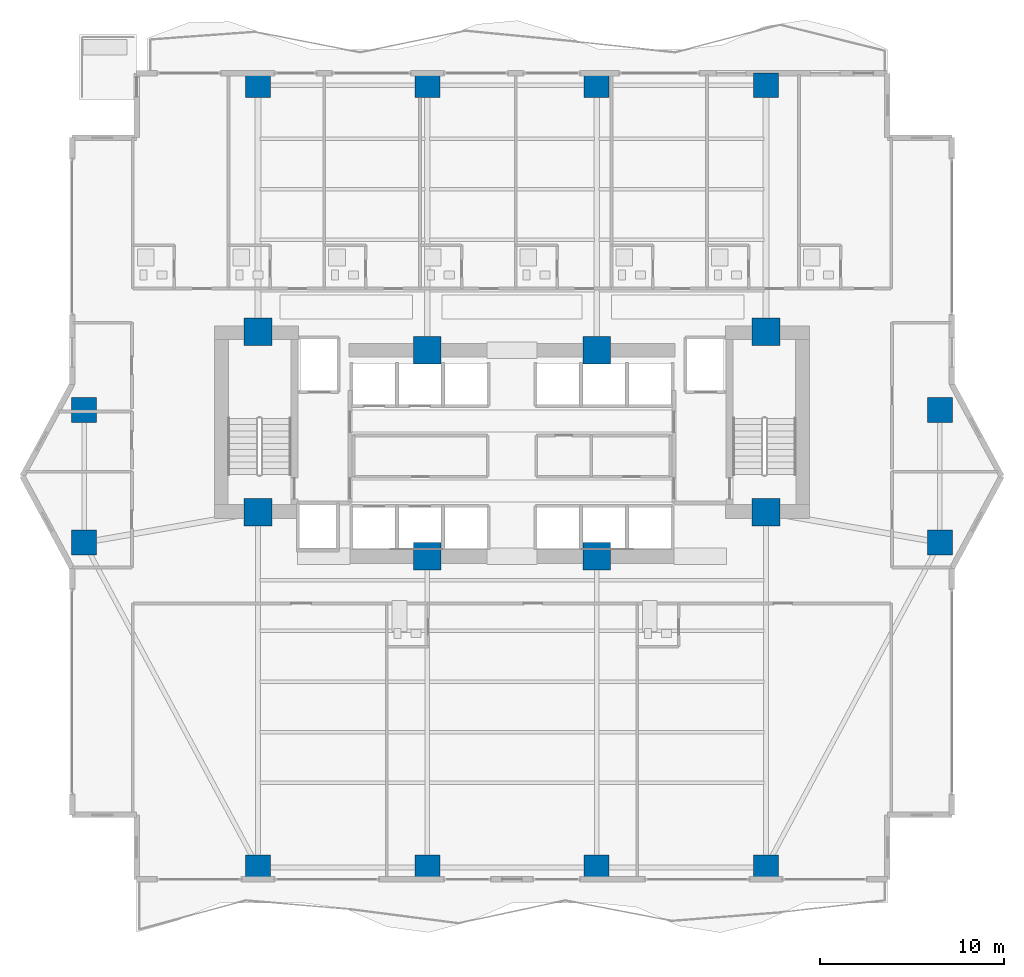
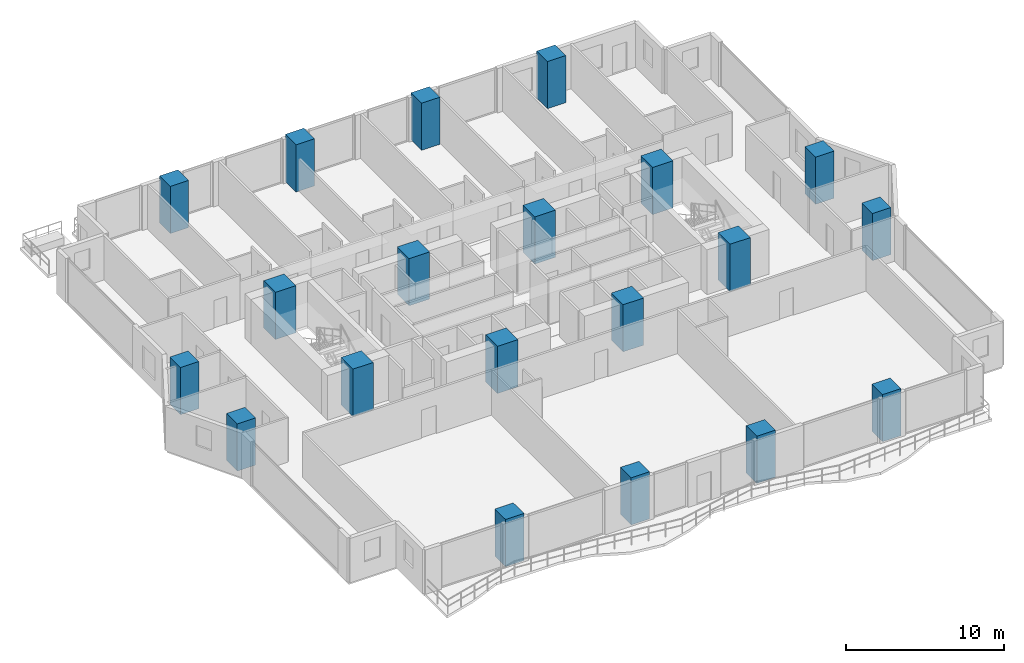
# One storey, part 1 of 29: 20 columns.
"""IFC4 building model written with IfcOpenShell, lengths in metres."""

from ifc_helpers import new_model, si_unit, direction, frame, origin, origin_2d, place, context, subcontext, project, spatial, rectangle, extrude, material, material_profile, profile_set, type_object, element, save


model = new_model("IFC4")

# Units and contexts
model_context = context("Model", 3, precision=1e-05, world=origin(), true_north=direction((0.0, 1.0)))
body_context = subcontext(model_context, "Body", "Model", "MODEL_VIEW")
ifc_project = project(units=[si_unit("LENGTHUNIT", "METRE"), si_unit("AREAUNIT", "SQUARE_METRE"), si_unit("VOLUMEUNIT", "CUBIC_METRE"), si_unit("PLANEANGLEUNIT", "RADIAN"), si_unit("MASSUNIT", "GRAM", prefix="KILO")], contexts=[model_context])

# Site, building, storey
site_placement = place(None, origin())
site = spatial("IfcSite", under=ifc_project, at=site_placement, CompositionType="ELEMENT")
building_placement = place(site_placement, origin())
building = spatial("IfcBuilding", under=site, at=building_placement, Name="Zuhayl Quay Hotel", CompositionType="ELEMENT")
storey_placement = place(building_placement, frame((0.0, 0.0, 106.60009765625)))
storey = spatial("IfcBuildingStorey", under=building, at=storey_placement, Name="L26", CompositionType="ELEMENT", Elevation=106.60009765625)

# Columns
ifc_material = material(Name="Concrete C70/85", Category="concrete")
ifc_material_profile_1 = material_profile(ifc_material, rectangle(XDim=1.5, YDim=1.5, at=origin_2d()), Name="RC1500X1500")
ifc_profile_set_1 = profile_set([ifc_material_profile_1], Name="Concrete C70/85")
column_type_1 = type_object("IfcColumnType", Name="CL_CC1_1500", PredefinedType="COLUMN", material=ifc_profile_set_1)
for number, where, z_axis, x_axis, name in (
    (1, (-13.800048828125, 14.35009765625, 0.0), (0.0, 0.0, 1.0), (1.0, 0.0, 0.0), "L26 Core Column CC_NW"),
    (2, (-4.60009765625, 13.35009765625, 0.0), (0.0, 0.0, 1.0), (1.0, 0.0, 0.0), "L26 Core Column CC_CNW"),
    (3, (4.60009765625, 13.35009765625, 0.0), (0.0, 0.0, 1.0), (1.0, 0.0, 0.0), "L26 Core Column CC_CNE"),
    (4, (13.800048828125, 14.35009765625, 0.0), (0.0, 0.0, 1.0), (1.0, 0.0, 0.0), "L26 Core Column CC_NE"),
    (5, (-13.800048828125, 4.550048828125, 0.0), (0.0, 0.0, 1.0), (1.0, 0.0, 0.0), "L26 Core Column CC_SW"),
    (6, (-4.60009765625, 2.14990234375, 0.0), (0.0, 0.0, 1.0), (1.0, 0.0, 0.0), "L26 Core Column CC_CSW"),
    (7, (4.60009765625, 2.14990234375, 0.0), (0.0, 0.0, 1.0), (1.0, 0.0, 0.0), "L26 Core Column CC_CSE"),
    (8, (13.800048828125, 4.550048828125, 0.0), (0.0, 0.0, 1.0), (1.0, 0.0, 0.0), "L26 Core Column CC_SE"),
):
    element("IfcColumn", number, at=place(storey_placement, frame(where, z_axis=z_axis, x_axis=x_axis)), inside=storey, type_object=column_type_1, Name=name, PredefinedType="COLUMN", context=body_context, shape_type="SweptSolid", body=[
        extrude(rectangle(XDim=1.5, YDim=1.5, at=origin_2d()), origin(), (0.0, 0.0, 1.0), 3.64990234375),
    ])
ifc_material_profile_2 = material_profile(ifc_material, rectangle(XDim=1.35009765625, YDim=1.35009765625, at=origin_2d()), Name="RC1350X1350")
ifc_profile_set_2 = profile_set([ifc_material_profile_2], Name="Concrete C70/85")
column_type_2 = type_object("IfcColumnType", Name="CL_MC2_1350", PredefinedType="COLUMN", material=ifc_profile_set_2)
for number, where, z_axis, x_axis, name in (
    (9, (-13.800048828125, -14.75, 0.0), (0.0, 0.0, 1.0), (1.0, 0.0, 0.0), "L26 Mega-Column MC_S1"),
    (10, (-4.60009765625, -14.75, 0.0), (0.0, 0.0, 1.0), (1.0, 0.0, 0.0), "L26 Mega-Column MC_S2"),
    (11, (4.60009765625, -14.75, 0.0), (0.0, 0.0, 1.0), (1.0, 0.0, 0.0), "L26 Mega-Column MC_S3"),
    (12, (13.800048828125, -14.75, 0.0), (0.0, 0.0, 1.0), (1.0, 0.0, 0.0), "L26 Mega-Column MC_S4"),
    (13, (-13.800048828125, 27.75, 0.0), (0.0, 0.0, 1.0), (1.0, 0.0, 0.0), "L26 Mega-Column MC_N1"),
    (14, (-4.60009765625, 27.75, 0.0), (0.0, 0.0, 1.0), (1.0, 0.0, 0.0), "L26 Mega-Column MC_N2"),
    (15, (4.60009765625, 27.75, 0.0), (0.0, 0.0, 1.0), (1.0, 0.0, 0.0), "L26 Mega-Column MC_N3"),
    (16, (13.800048828125, 27.75, 0.0), (0.0, 0.0, 1.0), (1.0, 0.0, 0.0), "L26 Mega-Column MC_N4"),
    (17, (-23.25, 2.89990234375, 0.0), (0.0, 0.0, 1.0), (1.0, 0.0, 0.0), "L26 Mega-Column MC_W1"),
    (18, (-23.25, 10.10009765625, 0.0), (0.0, 0.0, 1.0), (1.0, 0.0, 0.0), "L26 Mega-Column MC_W2"),
    (19, (23.25, 2.89990234375, 0.0), (0.0, 0.0, 1.0), (1.0, 0.0, 0.0), "L26 Mega-Column MC_E1"),
    (20, (23.25, 10.10009765625, 0.0), (0.0, 0.0, 1.0), (1.0, 0.0, 0.0), "L26 Mega-Column MC_E2"),
):
    element("IfcColumn", number, at=place(storey_placement, frame(where, z_axis=z_axis, x_axis=x_axis)), inside=storey, type_object=column_type_2, Name=name, PredefinedType="COLUMN", context=body_context, shape_type="SweptSolid", body=[
        extrude(rectangle(XDim=1.35009765625, YDim=1.35009765625, at=origin_2d()), origin(), (0.0, 0.0, 1.0), 3.64990234375),
    ])

save(model, "model.ifc")
